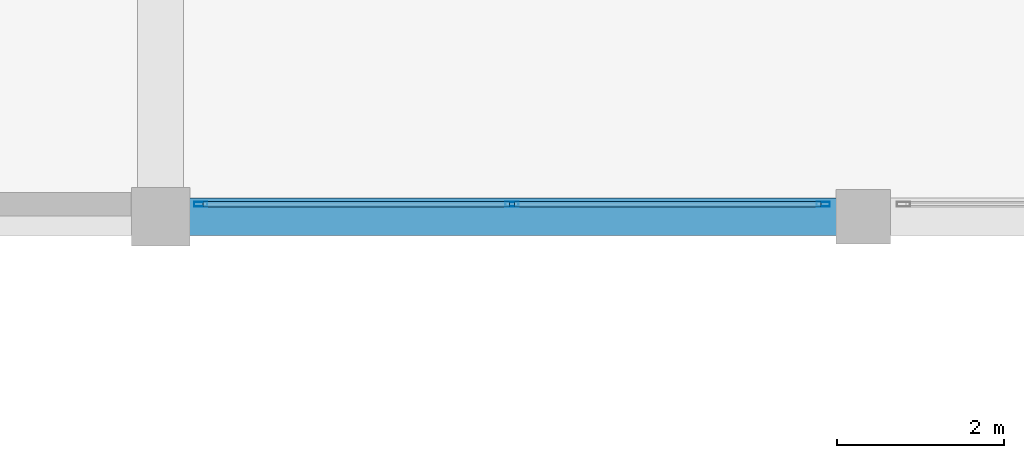
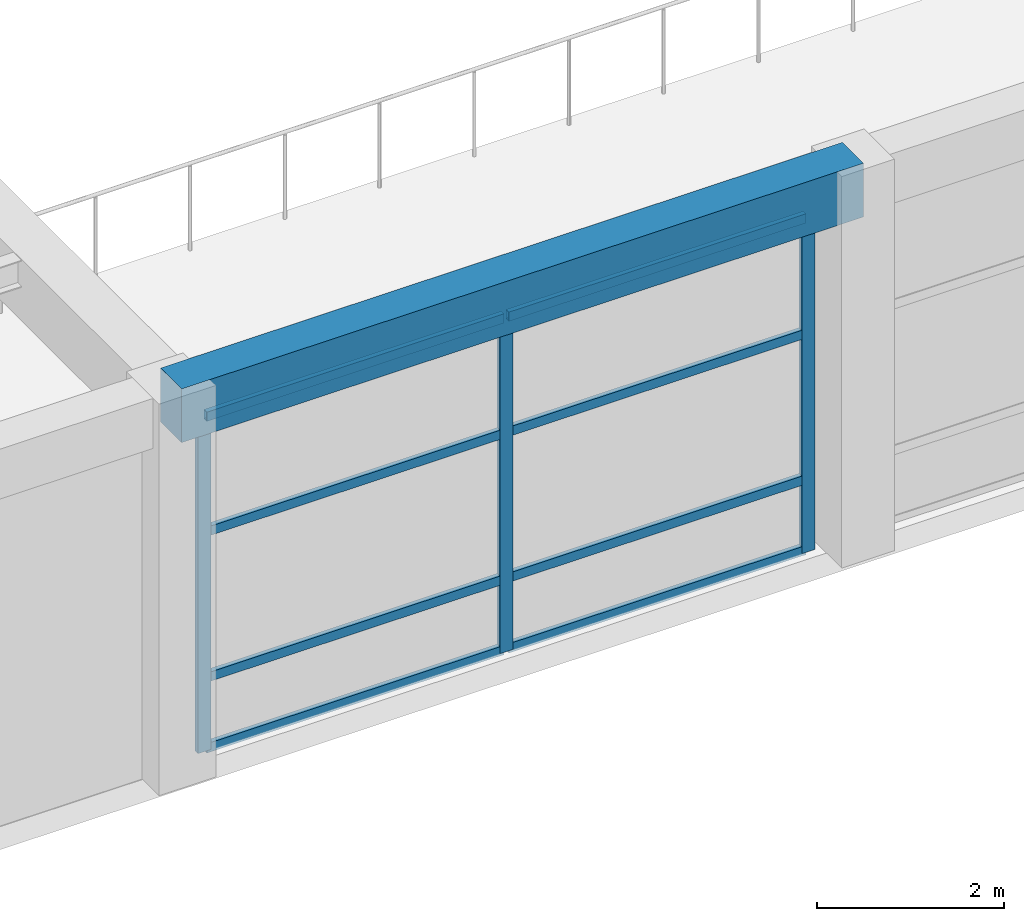
# One storey, part 23 of 96: 11 members, 1 beam, 1 element without a shape of its own.
"""IFC4 building model written with IfcOpenShell, lengths in metres."""

from ifc_helpers import new_model, si_unit, direction, frame, origin, origin_2d, place, context, subcontext, project, spatial, rectangle, hollow_rectangle, extrude, material, material_profile, profile_set, type_object, element, aggregate, save


model = new_model("IFC4")

# Units and contexts
model_context = context("Model", 3, precision=1e-05, world=origin(), true_north=direction((0.0, 1.0)))
body_context = subcontext(model_context, "Body", "Model", "MODEL_VIEW")
ifc_project = project(units=[si_unit("LENGTHUNIT", "METRE"), si_unit("AREAUNIT", "SQUARE_METRE"), si_unit("VOLUMEUNIT", "CUBIC_METRE"), si_unit("PLANEANGLEUNIT", "RADIAN"), si_unit("MASSUNIT", "GRAM", prefix="KILO")], contexts=[model_context])

# Site, building, storey
site_placement = place(None, origin())
site = spatial("IfcSite", under=ifc_project, at=site_placement, CompositionType="ELEMENT")
building_placement = place(site_placement, origin())
building = spatial("IfcBuilding", under=site, at=building_placement, Name="Almacenes y Pasaje Nevantli", CompositionType="ELEMENT")
storey_placement = place(building_placement, frame((0.0, 0.0, 6.0)))
storey = spatial("IfcBuildingStorey", under=building, at=storey_placement, Name="L02", CompositionType="ELEMENT", Elevation=6.0)

# Beam
ifc_material_1 = material(Name="Concrete C35/45", Category="concrete")
ifc_material_profile_1 = material_profile(ifc_material_1, rectangle(XDim=0.449951171875, YDim=0.699951171875, at=origin_2d()), Name="RC-BM-450x700")
ifc_profile_set_1 = profile_set([ifc_material_profile_1], Name="Concrete C35/45")
beam_type = type_object("IfcBeamType", Name="BM-RC-450x700", PredefinedType="SPANDREL", material=ifc_profile_set_1)
beam_placement = place(storey_placement, frame((67.199951171875, 0.0, 4.75), z_axis=(1.0, 0.0, 0.0), x_axis=(0.0, 1.0, 0.0)))
element("IfcBeam", 1, at=beam_placement, inside=storey, type_object=beam_type, Name="L02 East-West Reinforced Concrete Beam #1728", PredefinedType="SPANDREL", context=body_context, shape_type="SweptSolid", body=[
    extrude(rectangle(XDim=0.449951171875, YDim=0.699951171875, at=origin_2d()), origin(), (0.0, 0.0, 1.0), 8.400146484375),
])

# Curtain wall, members
ifc_material_2 = material(Name="Thermally Broken Aluminium and Low-E Glass", Category="aluminium")
curtain_wall_type = type_object("IfcCurtainWallType", Name="CW-STF-ARCADE", PredefinedType="USERDEFINED", material=ifc_material_2)
curtain_wall_placement = place(storey_placement, origin())
curtain_wall = element("IfcCurtainWall", 2, at=curtain_wall_placement, inside=storey, type_object=curtain_wall_type, Name="L02 South Arcade Portal Curtain Wall Bay 9", ObjectType="STOREFRONT GLAZING", PredefinedType="USERDEFINED")
ifc_material_3 = material(Name="Thermally Broken Anodized Aluminium", Category="aluminium")
ifc_material_profile_2 = material_profile(ifc_material_3, hollow_rectangle(XDim=0.06005859375, YDim=0.159912109375, WallThickness=0.00390625, at=origin_2d()), Name="ALU-MUL-60x160")
ifc_profile_set_2 = profile_set([ifc_material_profile_2], Name="Thermally Broken Anodized Aluminium")
member_type_1 = type_object("IfcMemberType", Name="CW-MUL-180", PredefinedType="MULLION", material=ifc_profile_set_2)
member_1_placement = place(storey_placement, frame((67.679931640625, 0.14990234375, 0.0), z_axis=(0.0, 0.0, 1.0), x_axis=(0.0, 1.0, 0.0)))
member_1 = element("IfcMember", 3, at=member_1_placement, type_object=member_type_1, Name="CW-L02-012 mullion 1", PredefinedType="MULLION", context=body_context, shape_type="SweptSolid", body=[
    extrude(hollow_rectangle(XDim=0.06005859375, YDim=0.159912109375, WallThickness=0.00390625, at=origin_2d()), origin(), (0.0, 0.0, 1.0), 4.3798828125),
])
member_2_placement = place(storey_placement, frame((71.39990234375, 0.14990234375, 0.0), z_axis=(0.0, 0.0, 1.0), x_axis=(0.0, 1.0, 0.0)))
member_2 = element("IfcMember", 4, at=member_2_placement, type_object=member_type_1, Name="CW-L02-012 mullion 2", PredefinedType="MULLION", context=body_context, shape_type="SweptSolid", body=[
    extrude(hollow_rectangle(XDim=0.06005859375, YDim=0.159912109375, WallThickness=0.00390625, at=origin_2d()), origin(), (0.0, 0.0, 1.0), 4.3798828125),
])
member_3_placement = place(storey_placement, frame((75.1201171875, 0.14990234375, 0.0), z_axis=(0.0, 0.0, 1.0), x_axis=(0.0, 1.0, 0.0)))
member_3 = element("IfcMember", 5, at=member_3_placement, type_object=member_type_1, Name="CW-L02-012 mullion 3", PredefinedType="MULLION", context=body_context, shape_type="SweptSolid", body=[
    extrude(hollow_rectangle(XDim=0.06005859375, YDim=0.159912109375, WallThickness=0.00390625, at=origin_2d()), origin(), (0.0, 0.0, 1.0), 4.3798828125),
])
ifc_material_4 = material(Name="Thermally Broken Anodized Aluminium", Category="aluminium")
ifc_material_profile_3 = material_profile(ifc_material_4, hollow_rectangle(XDim=0.06005859375, YDim=0.1201171875, WallThickness=0.00341796875, at=origin_2d()), Name="ALU-TRN-60x120")
ifc_profile_set_3 = profile_set([ifc_material_profile_3], Name="Thermally Broken Anodized Aluminium")
member_type_2 = type_object("IfcMemberType", Name="CW-TRN-130", PredefinedType="USERDEFINED", material=ifc_profile_set_3)
member_4_placement = place(storey_placement, frame((67.7099609375, 0.14990234375, 0.030029296875), z_axis=(1.0, 0.0, 0.0), x_axis=(0.0, 1.0, 0.0)))
member_4 = element("IfcMember", 6, at=member_4_placement, type_object=member_type_2, Name="CW-L02-012 transom 1.1", ObjectType="TRANSOM", PredefinedType="USERDEFINED", context=body_context, shape_type="SweptSolid", body=[
    extrude(hollow_rectangle(XDim=0.06005859375, YDim=0.1201171875, WallThickness=0.00341796875, at=origin_2d()), origin(), (0.0, 0.0, 1.0), 3.66015625),
])
member_5_placement = place(storey_placement, frame((67.7099609375, 0.14990234375, 0.949951171875), z_axis=(1.0, 0.0, 0.0), x_axis=(0.0, 1.0, 0.0)))
member_5 = element("IfcMember", 7, at=member_5_placement, type_object=member_type_2, Name="CW-L02-012 transom 1.2", ObjectType="TRANSOM", PredefinedType="USERDEFINED", context=body_context, shape_type="SweptSolid", body=[
    extrude(hollow_rectangle(XDim=0.06005859375, YDim=0.1201171875, WallThickness=0.00341796875, at=origin_2d()), origin(), (0.0, 0.0, 1.0), 3.66015625),
])
member_6_placement = place(storey_placement, frame((67.7099609375, 0.14990234375, 2.85009765625), z_axis=(1.0, 0.0, 0.0), x_axis=(0.0, 1.0, 0.0)))
member_6 = element("IfcMember", 8, at=member_6_placement, type_object=member_type_2, Name="CW-L02-012 transom 1.3", ObjectType="TRANSOM", PredefinedType="USERDEFINED", context=body_context, shape_type="SweptSolid", body=[
    extrude(hollow_rectangle(XDim=0.06005859375, YDim=0.1201171875, WallThickness=0.00341796875, at=origin_2d()), origin(), (0.0, 0.0, 1.0), 3.66015625),
])
member_7_placement = place(storey_placement, frame((67.7099609375, 0.14990234375, 4.35009765625), z_axis=(1.0, 0.0, 0.0), x_axis=(0.0, 1.0, 0.0)))
member_7 = element("IfcMember", 9, at=member_7_placement, type_object=member_type_2, Name="CW-L02-012 transom 1.4", ObjectType="TRANSOM", PredefinedType="USERDEFINED", context=body_context, shape_type="SweptSolid", body=[
    extrude(hollow_rectangle(XDim=0.06005859375, YDim=0.1201171875, WallThickness=0.00341796875, at=origin_2d()), origin(), (0.0, 0.0, 1.0), 3.66015625),
])
member_8_placement = place(storey_placement, frame((71.429931640625, 0.14990234375, 0.030029296875), z_axis=(1.0, 0.0, 0.0), x_axis=(0.0, 1.0, 0.0)))
member_8 = element("IfcMember", 10, at=member_8_placement, type_object=member_type_2, Name="CW-L02-012 transom 2.1", ObjectType="TRANSOM", PredefinedType="USERDEFINED", context=body_context, shape_type="SweptSolid", body=[
    extrude(hollow_rectangle(XDim=0.06005859375, YDim=0.1201171875, WallThickness=0.00341796875, at=origin_2d()), origin(), (0.0, 0.0, 1.0), 3.66015625),
])
member_9_placement = place(storey_placement, frame((71.429931640625, 0.14990234375, 0.949951171875), z_axis=(1.0, 0.0, 0.0), x_axis=(0.0, 1.0, 0.0)))
member_9 = element("IfcMember", 11, at=member_9_placement, type_object=member_type_2, Name="CW-L02-012 transom 2.2", ObjectType="TRANSOM", PredefinedType="USERDEFINED", context=body_context, shape_type="SweptSolid", body=[
    extrude(hollow_rectangle(XDim=0.06005859375, YDim=0.1201171875, WallThickness=0.00341796875, at=origin_2d()), origin(), (0.0, 0.0, 1.0), 3.66015625),
])
member_10_placement = place(storey_placement, frame((71.429931640625, 0.14990234375, 2.85009765625), z_axis=(1.0, 0.0, 0.0), x_axis=(0.0, 1.0, 0.0)))
member_10 = element("IfcMember", 12, at=member_10_placement, type_object=member_type_2, Name="CW-L02-012 transom 2.3", ObjectType="TRANSOM", PredefinedType="USERDEFINED", context=body_context, shape_type="SweptSolid", body=[
    extrude(hollow_rectangle(XDim=0.06005859375, YDim=0.1201171875, WallThickness=0.00341796875, at=origin_2d()), origin(), (0.0, 0.0, 1.0), 3.66015625),
])
member_11_placement = place(storey_placement, frame((71.429931640625, 0.14990234375, 4.35009765625), z_axis=(1.0, 0.0, 0.0), x_axis=(0.0, 1.0, 0.0)))
member_11 = element("IfcMember", 13, at=member_11_placement, type_object=member_type_2, Name="CW-L02-012 transom 2.4", ObjectType="TRANSOM", PredefinedType="USERDEFINED", context=body_context, shape_type="SweptSolid", body=[
    extrude(hollow_rectangle(XDim=0.06005859375, YDim=0.1201171875, WallThickness=0.00341796875, at=origin_2d()), origin(), (0.0, 0.0, 1.0), 3.66015625),
])
aggregate(curtain_wall, [member_1, member_2, member_3, member_4, member_5, member_6, member_7, member_8, member_9, member_10, member_11])

save(model, "model.ifc")
